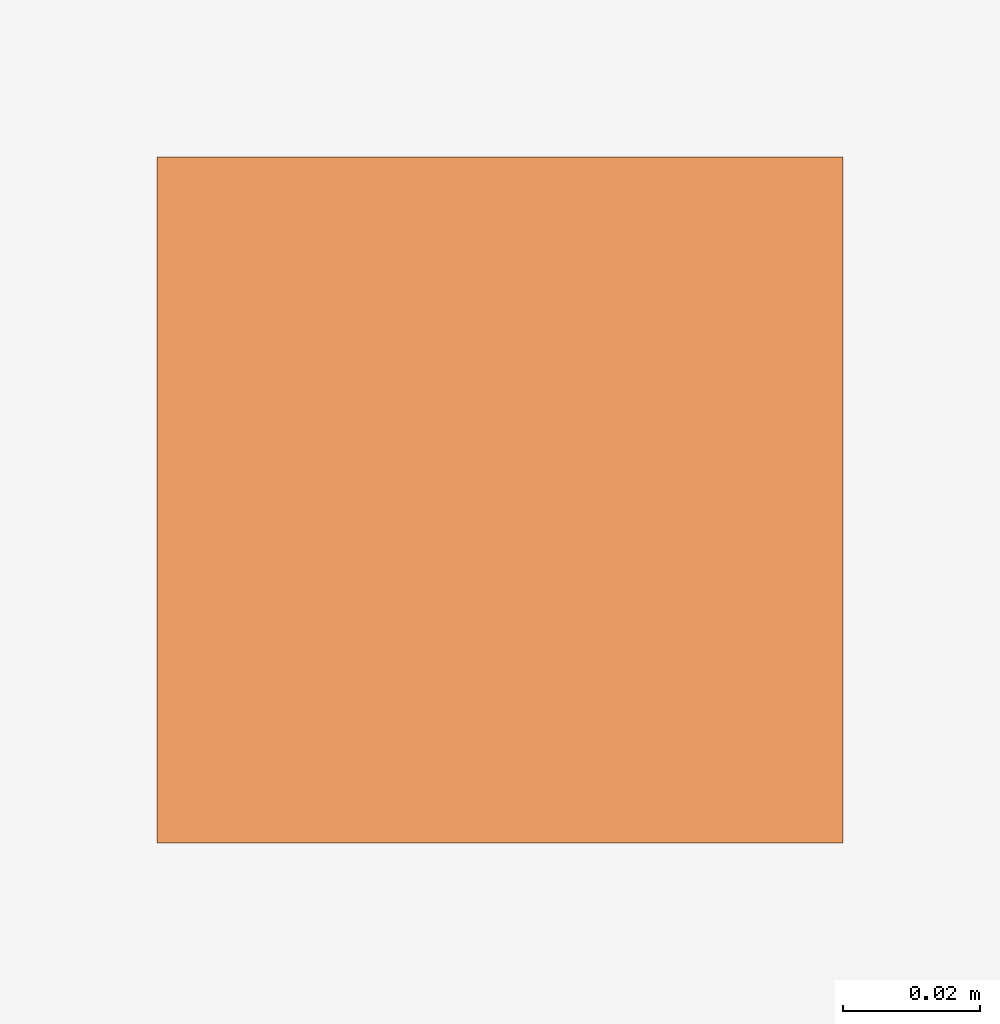
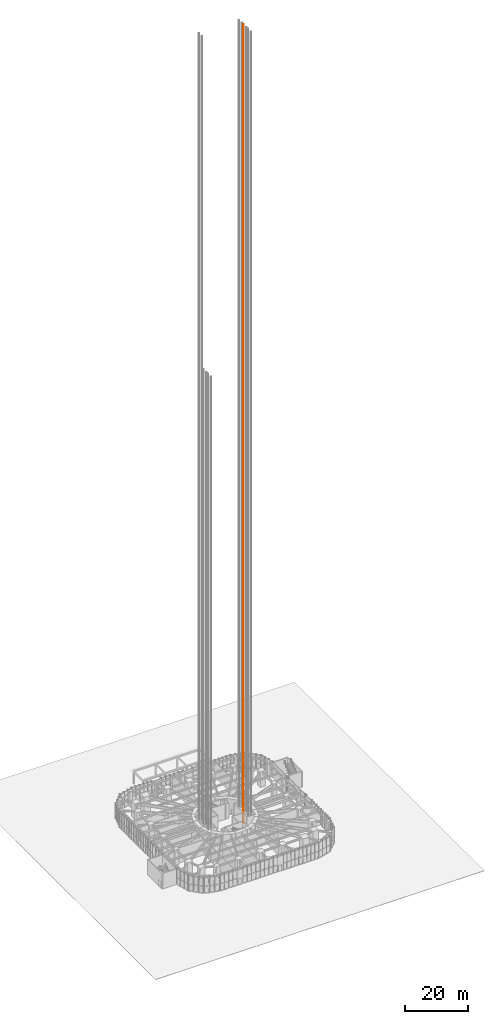
# One storey, part 41 of 43: 1 proxy.
"""IFC4 building model written with IfcOpenShell, lengths in metres."""

from ifc_helpers import new_model, si_unit, direction, frame, origin, origin_2d, place, context, subcontext, project, spatial, rectangle, extrude, material, type_object, element, save


model = new_model("IFC4")

# Units and contexts
model_context = context("Model", 3, precision=1e-05, world=origin(), true_north=direction((0.0, 1.0)))
body_context = subcontext(model_context, "Body", "Model", "MODEL_VIEW")
ifc_project = project(units=[si_unit("LENGTHUNIT", "METRE"), si_unit("AREAUNIT", "SQUARE_METRE"), si_unit("VOLUMEUNIT", "CUBIC_METRE"), si_unit("PLANEANGLEUNIT", "RADIAN"), si_unit("MASSUNIT", "GRAM", prefix="KILO")], contexts=[model_context])

# Site, building, storey
site_placement = place(None, origin())
site = spatial("IfcSite", under=ifc_project, at=site_placement, CompositionType="ELEMENT")
building_placement = place(site_placement, origin())
building = spatial("IfcBuilding", under=site, at=building_placement, Name="Nakasero Lantern House", CompositionType="ELEMENT")
storey_placement = place(building_placement, origin())
storey = spatial("IfcBuildingStorey", under=building, at=storey_placement, Name="L00", CompositionType="ELEMENT", Elevation=0.0)

# Proxy
ifc_material = material(Name="Steel S355", Category="steel")
building_element_proxy_type = type_object("IfcBuildingElementProxyType", Name="Lift guide rail", PredefinedType="ELEMENT", material=ifc_material)
proxy_placement = place(storey_placement, frame((7.300048828125, 0.89990234375, 0.0), z_axis=(0.0, 0.0, 1.0), x_axis=(1.0, 0.0, 0.0)))
element("IfcBuildingElementProxy", 1, at=proxy_placement, inside=storey, type_object=building_element_proxy_type, Name="Guide rail PLE2 2", PredefinedType="ELEMENT", context=body_context, shape_type="SweptSolid", body=[
    extrude(rectangle(XDim=0.10009765625, YDim=0.10009765625, at=origin_2d()), origin(), (0.0, 0.0, 1.0), 308.0),
])

save(model, "model.ifc")
